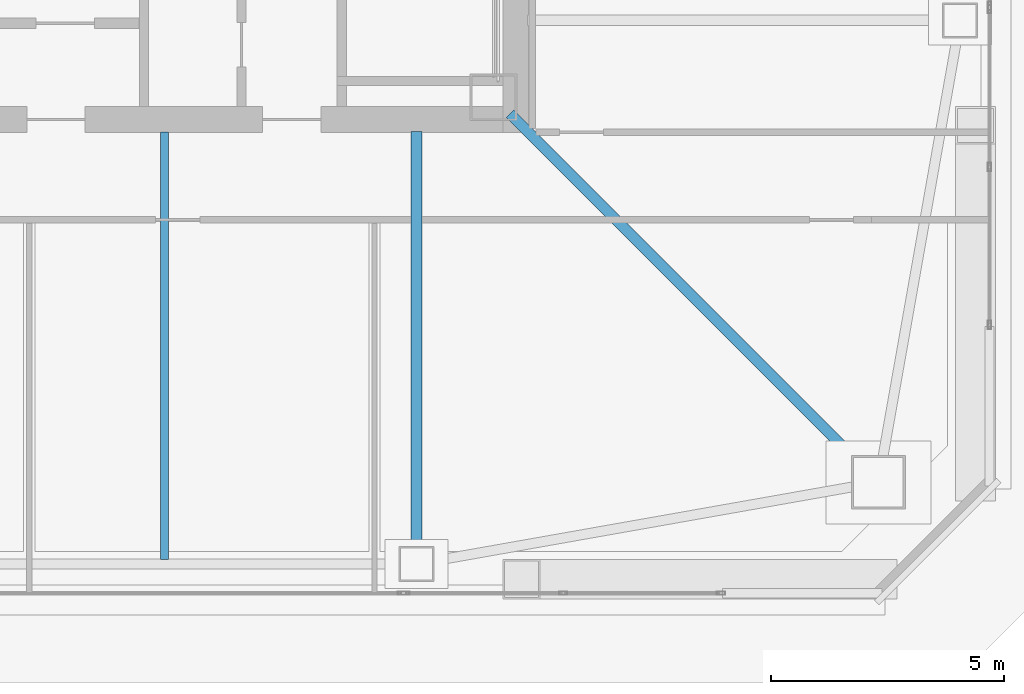
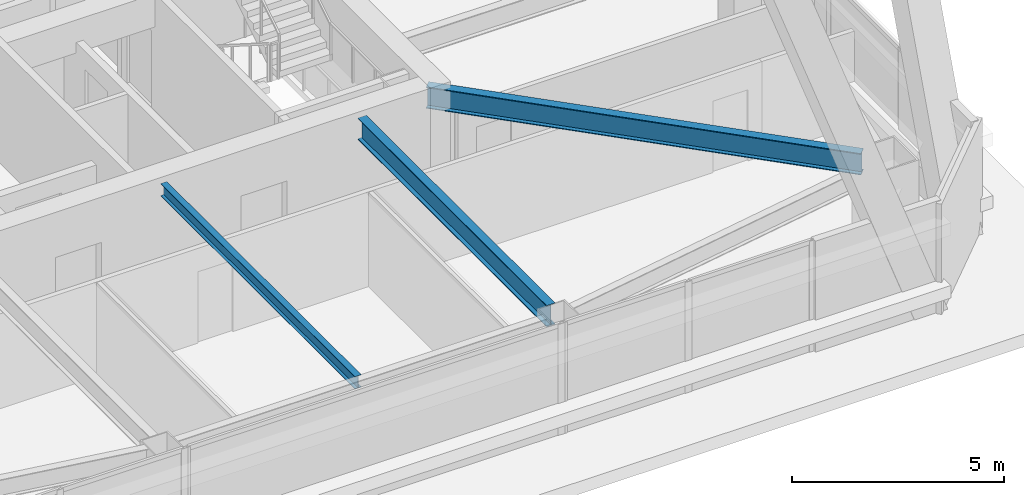
# One storey, part 12 of 65: 3 beams.
"""IFC4 building model written with IfcOpenShell, lengths in metres."""

from ifc_helpers import new_model, si_unit, direction, frame, origin, origin_2d, place, context, subcontext, project, spatial, i_section, extrude, material, material_profile, profile_set, type_object, element, save


model = new_model("IFC4")

# Units and contexts
model_context = context("Model", 3, precision=1e-05, world=origin(), true_north=direction((0.0, 1.0)))
body_context = subcontext(model_context, "Body", "Model", "MODEL_VIEW")
ifc_project = project(units=[si_unit("LENGTHUNIT", "METRE"), si_unit("AREAUNIT", "SQUARE_METRE"), si_unit("VOLUMEUNIT", "CUBIC_METRE"), si_unit("PLANEANGLEUNIT", "RADIAN"), si_unit("MASSUNIT", "GRAM", prefix="KILO")], contexts=[model_context])

# Site, building, storey
site_placement = place(None, origin())
site = spatial("IfcSite", under=ifc_project, at=site_placement, CompositionType="ELEMENT")
building_placement = place(site_placement, origin())
building = spatial("IfcBuilding", under=site, at=building_placement, Name="Tashvorn Skyway Center", CompositionType="ELEMENT")
storey_placement = place(building_placement, frame((0.0, 0.0, 157.0)))
storey = spatial("IfcBuildingStorey", under=building, at=storey_placement, Name="L42", CompositionType="ELEMENT", Elevation=157.0)

# Beams
ifc_material = material(Name="Steel ASTM A992 Grade 50", Category="steel")
ifc_material_profile_1 = material_profile(ifc_material, i_section(OverallWidth=0.22998046875, OverallDepth=0.616943359375, WebThickness=0.01318359375, FlangeThickness=0.022216796875, at=origin_2d()), Name="W24X94")
ifc_profile_set_1 = profile_set([ifc_material_profile_1], Name="Steel ASTM A992 Grade 50")
beam_type_1 = type_object("IfcBeamType", Name="BM-BEAM-W24X94", PredefinedType="BEAM", material=ifc_profile_set_1)
beam_1_placement = place(storey_placement, frame((56.89697265625, 17.10302734375, 3.0615234375), z_axis=(-0.707106781187, 0.707106781187, 0.0), x_axis=(-0.707106781187, -0.707106781187, 0.0)))
element("IfcBeam", 1, at=beam_1_placement, inside=storey, type_object=beam_type_1, Name="Tower 1 L42 Primary Floor Girder MC-SE", PredefinedType="BEAM", context=body_context, shape_type="SweptSolid", body=[
    extrude(i_section(OverallWidth=0.22998046875, OverallDepth=0.616943359375, WebThickness=0.01318359375, FlangeThickness=0.022216796875, at=origin_2d()), origin(), (0.0, 0.0, 1.0), 10.6025390625),
])
beam_2_placement = place(storey_placement, frame((47.39990234375, 15.320068359375, 3.0615234375), z_axis=(0.0, 1.0, 0.0), x_axis=(-1.0, 0.0, 0.0)))
element("IfcBeam", 2, at=beam_2_placement, inside=storey, type_object=beam_type_1, Name="Tower 1 L42 Primary Floor Girder FC-S2", PredefinedType="BEAM", context=body_context, shape_type="SweptSolid", body=[
    extrude(i_section(OverallWidth=0.22998046875, OverallDepth=0.616943359375, WebThickness=0.01318359375, FlangeThickness=0.022216796875, at=origin_2d()), origin(), (0.0, 0.0, 1.0), 8.89990234375),
])
ifc_material_profile_2 = material_profile(ifc_material, i_section(OverallWidth=0.1708984375, OverallDepth=0.35498046875, WebThickness=0.007080078125, FlangeThickness=0.01171875, at=origin_2d()), Name="W14X34")
ifc_profile_set_2 = profile_set([ifc_material_profile_2], Name="Steel ASTM A992 Grade 50")
beam_type_2 = type_object("IfcBeamType", Name="BM-JOIST-W14X34", PredefinedType="JOIST", material=ifc_profile_set_2)
beam_3_placement = place(storey_placement, frame((42.0, 24.2099609375, 3.1923828125), z_axis=(0.0, -1.0, 0.0), x_axis=(1.0, 0.0, 0.0)))
element("IfcBeam", 3, at=beam_3_placement, inside=storey, type_object=beam_type_2, Name="Tower 1 L42 Secondary Composite Joist JS", PredefinedType="JOIST", context=body_context, shape_type="SweptSolid", body=[
    extrude(i_section(OverallWidth=0.1708984375, OverallDepth=0.35498046875, WebThickness=0.007080078125, FlangeThickness=0.01171875, at=origin_2d()), origin(), (0.0, 0.0, 1.0), 9.162353515625),
])

save(model, "model.ifc")
